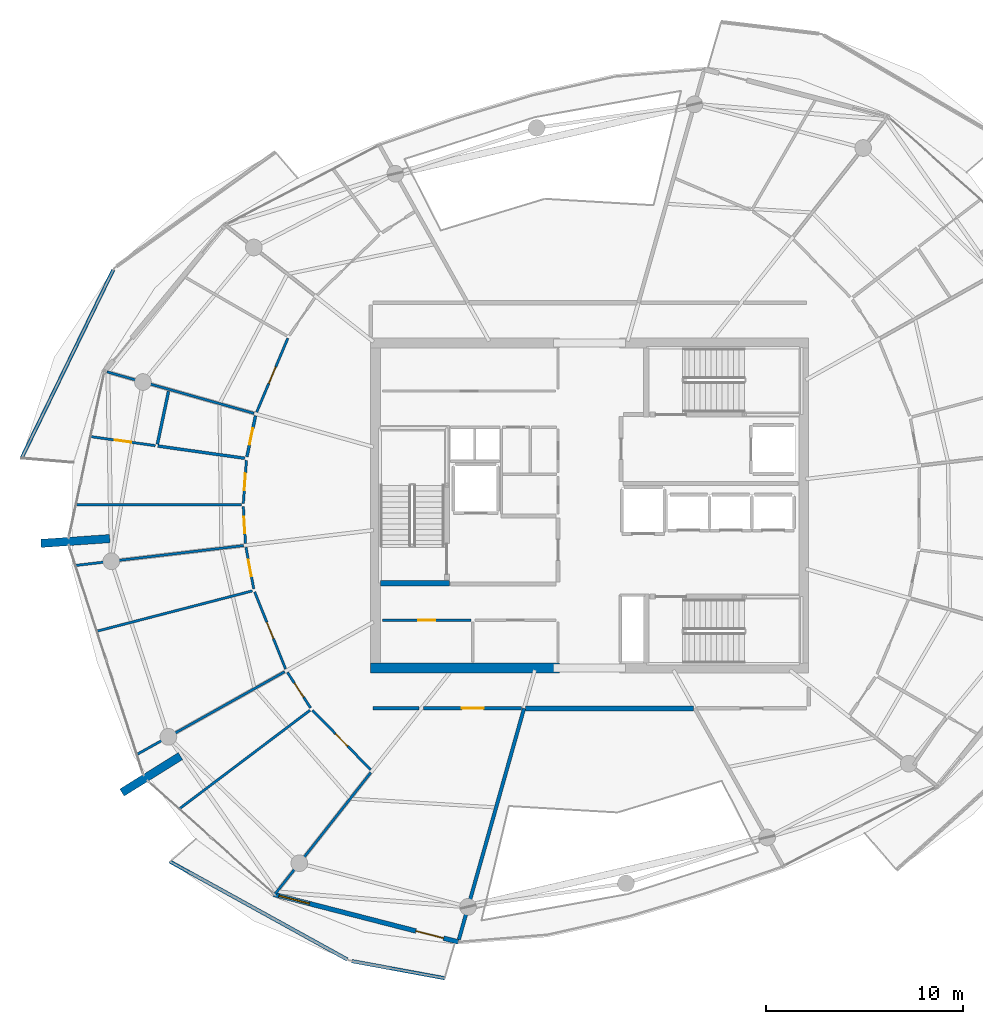
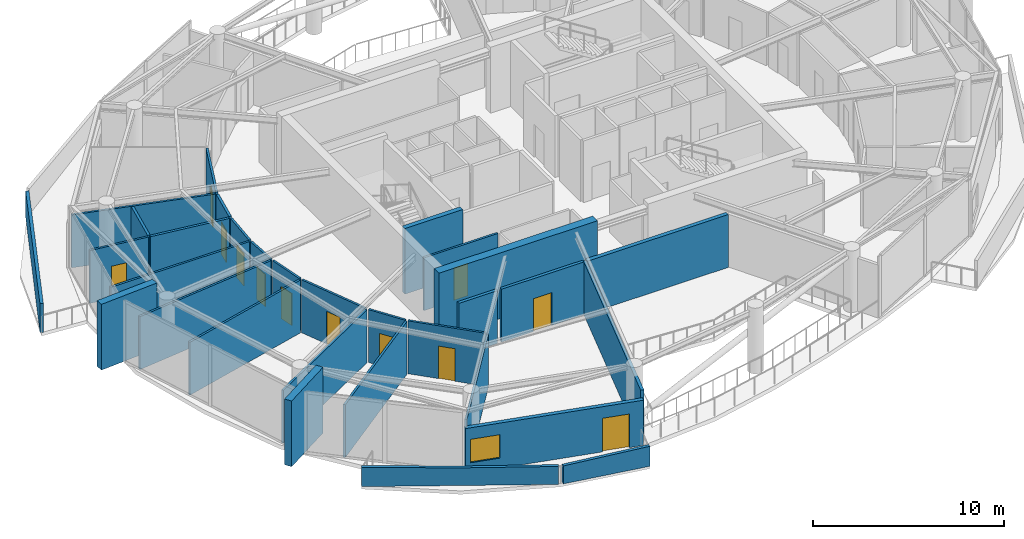
# One storey, part 13 of 22: 31 walls, 12 doors, 1 window, 13 openings.
"""IFC4 building model written with IfcOpenShell, lengths in metres."""

import ifcopenshell
import ifcopenshell.guid

model = None  # the IFC model being written
_history = None  # IfcOwnerHistory: only IFC2X3 demands one
_inside = {}  # id of a spatial element -> (the spatial element, [elements in it])
_under = {}  # id of a project, library or spatial element -> (it, [spatial elements below it])
_declared = {}  # id of a project -> (the project, [libraries it declares])
_typed = {}  # id of a type object -> (the type object, [elements of that type])
_made_of = {}  # id of a material, layer set ... -> (it, [elements and type objects made of it])


def new_model(schema):
    """Start an empty IFC model of exactly this schema.

    Asked for "IFC4X3", IfcOpenShell would pick the latest addendum, in which some entities
    have other attributes; the version numbers below select the first issue.
    IFC2X3 requires an IfcOwnerHistory on every rooted entity: one is made here for all.
    """
    global model, _history
    if schema == "IFC4X3":
        model = ifcopenshell.file(schema_version=(4, 3, 0, 0))
    else:
        model = ifcopenshell.file(schema=schema)
    _inside.clear()
    _under.clear()
    _declared.clear()
    _typed.clear()
    _made_of.clear()
    _history = None
    if model.schema == "IFC2X3":
        org = make("IfcOrganization", Name="unknown")
        user = make(
            "IfcPersonAndOrganization",
            ThePerson=make("IfcPerson", FamilyName="unknown"),
            TheOrganization=org,
        )
        app = make(
            "IfcApplication",
            ApplicationDeveloper=org,
            Version="unknown",
            ApplicationFullName="unknown",
            ApplicationIdentifier="unknown",
        )
        _history = make(
            "IfcOwnerHistory",
            OwningUser=user,
            OwningApplication=app,
            ChangeAction="ADDED",
            CreationDate=0,
        )
    return model


def make(cls, **values):
    """One entity of the class cls with the attributes given. An attribute that is None is left unset."""
    return model.create_entity(
        cls, **{name: value for name, value in values.items() if value is not None}
    )


def rooted(cls, **values):
    """An entity with a GlobalId (a new one), such as an element, a storey or a relation."""
    return make(cls, GlobalId=ifcopenshell.guid.new(), OwnerHistory=_history, **values)


def si_unit(unit_type, name, prefix=None):
    """IfcSIUnit, for example si_unit("LENGTHUNIT", "METRE", prefix="MILLI")."""
    return make("IfcSIUnit", UnitType=unit_type, Prefix=prefix, Name=name)


def assignment(units):
    """IfcUnitAssignment: the units of a project."""
    return None if units is None else make("IfcUnitAssignment", Units=units)


def point(xyz):
    """IfcCartesianPoint."""
    return None if xyz is None else make("IfcCartesianPoint", Coordinates=xyz)


def direction(xyz):
    """IfcDirection."""
    return None if xyz is None else make("IfcDirection", DirectionRatios=xyz)


def frame(location, z_axis=None, x_axis=None):
    """IfcAxis2Placement3D, a coordinate frame: its origin and axes. An axis left out is left unset."""
    return make(
        "IfcAxis2Placement3D",
        Location=point(location),
        Axis=direction(z_axis),
        RefDirection=direction(x_axis),
    )


def frame_2d(location, x_axis=None):
    """IfcAxis2Placement2D, a coordinate frame in the plane: its origin and x axis."""
    return make(
        "IfcAxis2Placement2D", Location=point(location), RefDirection=direction(x_axis)
    )


def origin():
    """The frame at (0, 0, 0) with its axes left unset."""
    return frame((0.0, 0.0, 0.0))


def place(relative_to, where):
    """IfcLocalPlacement: puts the frame where relative to a parent placement (None: the world)."""
    return make(
        "IfcLocalPlacement", PlacementRelTo=relative_to, RelativePlacement=where
    )


def context(
    kind, dimensions, precision=None, world=None, true_north=None, identifier=None
):
    """IfcGeometricRepresentationContext, for example the 3D "Model" context."""
    return make(
        "IfcGeometricRepresentationContext",
        ContextIdentifier=identifier,
        ContextType=kind,
        CoordinateSpaceDimension=dimensions,
        Precision=precision,
        WorldCoordinateSystem=world,
        TrueNorth=true_north,
    )


def subcontext(parent, identifier, kind, view, scale=None):
    """IfcGeometricRepresentationSubContext, for example "Body" below "Model"."""
    return make(
        "IfcGeometricRepresentationSubContext",
        ContextIdentifier=identifier,
        ContextType=kind,
        ParentContext=parent,
        TargetScale=scale,
        TargetView=view,
    )


def project(units=None, contexts=None):
    """IfcProject with its units and contexts."""
    return rooted(
        "IfcProject",
        Name="project",
        RepresentationContexts=contexts,
        UnitsInContext=assignment(units),
    )


def spatial(cls, under=None, at=None, **own):
    """A site, building, storey or space (cls), placed at a placement, below another one or the project."""
    s = rooted(cls, ObjectPlacement=at, **own)
    if under is not None:
        _under.setdefault(under.id(), (under, []))[1].append(s)
    return s


def polyline(points):
    """IfcPolyline through the points."""
    return make("IfcPolyline", Points=[point(p) for p in points])


def profile(cls, at=None, kind="AREA", **sizes):
    """A parametric profile (cls). Its sizes go by their IFC names, for example OverallWidth=200.0."""
    return make(cls, ProfileType=kind, Position=at, **sizes)


def rectangle(**sizes):
    """IfcRectangleProfileDef."""
    return profile("IfcRectangleProfileDef", **sizes)


def outline(outer, holes=None, kind="AREA"):
    """IfcArbitraryClosedProfileDef: a profile drawn as a closed curve; with holes, ...WithVoids."""
    if holes is None:
        return make("IfcArbitraryClosedProfileDef", ProfileType=kind, OuterCurve=outer)
    return make(
        "IfcArbitraryProfileDefWithVoids",
        ProfileType=kind,
        OuterCurve=outer,
        InnerCurves=holes,
    )


def extrude(swept, where, along, depth):
    """IfcExtrudedAreaSolid: the profile swept, set in the frame where, extruded along a direction by depth."""
    return make(
        "IfcExtrudedAreaSolid",
        SweptArea=swept,
        Position=where,
        ExtrudedDirection=direction(along),
        Depth=depth,
    )


def shape(context_of_items, identifier, shape_type, items):
    """IfcShapeRepresentation: the items that make up one representation, for example the "Body"."""
    return make(
        "IfcShapeRepresentation",
        ContextOfItems=context_of_items,
        RepresentationIdentifier=identifier,
        RepresentationType=shape_type,
        Items=items,
    )


def material(Name=None, Category=None):
    """IfcMaterial."""
    return make("IfcMaterial", Name=Name, Category=Category)


def layer(
    of_material, thickness, ventilated=None, Name=None, Category=None, Priority=None
):
    """IfcMaterialLayer: one layer of a wall or slab, of a material (None: an air gap)."""
    return make(
        "IfcMaterialLayer",
        Material=of_material,
        LayerThickness=thickness,
        IsVentilated=ventilated,
        Name=Name,
        Category=Category,
        Priority=Priority,
    )


def layer_set(layers, Name=None):
    """IfcMaterialLayerSet."""
    return make("IfcMaterialLayerSet", MaterialLayers=layers, LayerSetName=Name)


def made_of(thing, what):
    """Note that an element or type object is made of a material, layer set ...; save() writes the relation."""
    if what is not None:
        _made_of.setdefault(what.id(), (what, []))[1].append(thing)
    return thing


def type_object(cls, material=None, **own):
    """A type object (cls), such as IfcWallType, which elements share."""
    return made_of(rooted(cls, **own), material)


def element(
    cls,
    number,
    at=None,
    inside=None,
    cuts=None,
    type_object=None,
    material=None,
    context=None,
    identifier="Body",
    shape_type=None,
    held_by="IfcProductDefinitionShape",
    body=None,
    shapes=None,
    **own,
):
    """One element of the class cls, such as IfcWall. Its Tag is "e" and its number.

    at: its placement. inside: the storey or other place that contains it. cuts: it is an
    opening in that element (IfcRelVoidsElement). A single representation is given by context,
    identifier, shape_type and body (its items); several are given by shapes. held_by: the class
    of the entity that holds the representations. save() writes the other relations.
    """
    e = rooted(cls, Tag="e%d" % number, ObjectPlacement=at, **own)
    if body is not None:
        shapes = [shape(context, identifier, shape_type, body)]
    if shapes is not None:
        e.Representation = make(held_by, Representations=shapes)
    if inside is not None:
        _inside.setdefault(inside.id(), (inside, []))[1].append(e)
    if cuts is not None:
        rooted(
            "IfcRelVoidsElement", RelatingBuildingElement=cuts, RelatedOpeningElement=e
        )
    if type_object is not None:
        _typed.setdefault(type_object.id(), (type_object, []))[1].append(e)
    return made_of(e, material)


def fill(opening, filler):
    """IfcRelFillsElement: the door or window that sits in an opening."""
    return rooted(
        "IfcRelFillsElement",
        RelatingOpeningElement=opening,
        RelatedBuildingElement=filler,
    )


def aggregate(whole, parts):
    """IfcRelAggregates: a whole, such as a stair, and the parts it consists of."""
    return rooted("IfcRelAggregates", RelatingObject=whole, RelatedObjects=parts)


def save(model, path):
    """Write the relations noted so far, then the file.

    IfcRelAggregates (storeys below a building ...), IfcRelContainedInSpatialStructure (elements
    in a storey), IfcRelDefinesByType, IfcRelAssociatesMaterial and IfcRelDeclares: one each for
    every whole, place, type object, material and project.
    """
    for whole, parts in _under.values():
        aggregate(whole, parts)
    for where, things in _inside.values():
        rooted(
            "IfcRelContainedInSpatialStructure",
            RelatedElements=things,
            RelatingStructure=where,
        )
    for kind, things in _typed.values():
        rooted("IfcRelDefinesByType", RelatedObjects=things, RelatingType=kind)
    for what, things in _made_of.values():
        rooted("IfcRelAssociatesMaterial", RelatedObjects=things, RelatingMaterial=what)
    for by, libraries in _declared.values():
        rooted("IfcRelDeclares", RelatingContext=by, RelatedDefinitions=libraries)
    model.write(path)


model = new_model("IFC4")

# Units and contexts
model_context = context("Model", 3, precision=1e-05, world=origin(), true_north=direction((0.0, 1.0)))
body_context = subcontext(model_context, "Body", "Model", "MODEL_VIEW")
ifc_project = project(units=[si_unit("LENGTHUNIT", "METRE"), si_unit("AREAUNIT", "SQUARE_METRE"), si_unit("VOLUMEUNIT", "CUBIC_METRE"), si_unit("PLANEANGLEUNIT", "RADIAN"), si_unit("MASSUNIT", "GRAM", prefix="KILO")], contexts=[model_context])

# Site, building, storey
site_placement = place(None, origin())
site = spatial("IfcSite", under=ifc_project, at=site_placement, CompositionType="ELEMENT")
building_placement = place(site_placement, origin())
building = spatial("IfcBuilding", under=site, at=building_placement, Name="Kazma Halo Residences", CompositionType="ELEMENT")
storey_placement = place(building_placement, frame((0.0, 0.0, 322.10009765625)))
storey = spatial("IfcBuildingStorey", under=building, at=storey_placement, Name="L81", CompositionType="ELEMENT", Elevation=322.10009765625)

# Walls
ifc_material_1 = material(Name="White Concrete C50/60 Balustrade", Category="concrete")
ifc_layer_1 = layer(ifc_material_1, 0.179931640625)
ifc_layer_set_1 = layer_set([ifc_layer_1], Name="White Concrete C50/60 Balustrade")
wall_type_1 = type_object("IfcWallType", Name="WL-BAL-WAVE-180", PredefinedType="PARAPET", material=ifc_layer_set_1)
wall_1_placement = place(storey_placement, frame((24.236083984375, 53.9736328125, 0.0), z_axis=(0.0, 0.0, 1.0), x_axis=(-0.437628769895, -0.899155748333, 0.0)))
element("IfcWall", 1, at=wall_1_placement, inside=storey, type_object=wall_type_1, Name="L81 white wave balustrade wall NW.2", PredefinedType="PARAPET", context=body_context, shape_type="SweptSolid", body=[
    extrude(outline(polyline([(0.0, 0.0), (10.634765625, 0.0), (10.634765625, 1.85986328125), (5.3173828125, 1.7978515625), (0.0, 1.6318359375), (0.0, 0.0)])), frame((0.0, 0.08984375, 0.0), z_axis=(0.0, -1.0, 0.0), x_axis=(1.0, 0.0, 0.0)), (0.0, 0.0, 1.0), 0.179931640625),
])
wall_2_placement = place(storey_placement, frame((27.10302734375, 23.930419921875, 0.0), z_axis=(0.0, 0.0, 1.0), x_axis=(0.875469817093, -0.483272800145, 0.0)))
element("IfcWall", 2, at=wall_2_placement, inside=storey, type_object=wall_type_1, Name="L81 white wave balustrade wall SW.1", PredefinedType="PARAPET", context=body_context, shape_type="SweptSolid", body=[
    extrude(outline(polyline([(0.0, 0.0), (10.3017578125, 0.0), (10.301513671875, 1.14794921875), (5.15087890625, 1.126953125), (0.0, 1.223876953125), (0.0, 0.0)])), frame((0.0, 0.08984375, 0.0), z_axis=(0.0, -1.0, 0.0), x_axis=(1.0, 0.0, 0.0)), (0.0, 0.0, 1.0), 0.179931640625),
])
wall_3_placement = place(storey_placement, frame((36.344970703125, 18.8720703125, 0.0), z_axis=(0.0, 0.0, 1.0), x_axis=(0.983429847583, -0.18128909201, 0.0)))
element("IfcWall", 3, at=wall_3_placement, inside=storey, type_object=wall_type_1, Name="L81 white wave balustrade wall SW.2", PredefinedType="PARAPET", context=body_context, shape_type="SweptSolid", body=[
    extrude(outline(polyline([(0.0, 0.0), (4.8076171875, 0.0), (4.8076171875, 1.27880859375), (0.0, 1.14794921875), (0.0, 0.0)])), frame((0.0, 0.08984375, 0.0), z_axis=(0.0, -1.0, 0.0), x_axis=(1.0, 0.0, 0.0)), (0.0, 0.0, 1.0), 0.179931640625),
])
ifc_material_2 = material(Name="Pale Concrete C60/75", Category="concrete")
ifc_layer_2 = layer(ifc_material_2, 0.419921875)
ifc_layer_set_2 = layer_set([ifc_layer_2], Name="Pale Concrete C60/75")
wall_type_2 = type_object("IfcWallType", Name="WL-BLADE-420", PredefinedType="SOLIDWALL", material=ifc_layer_set_2)
for number, where, z_axis, x_axis, name in (
    (4, (24.05908203125, 40.325927734375, 0.0), (0.0, 0.0, 1.0), (-0.997564163539, -0.069754853754, 0.0), "L81 pale concrete structural blade fin wall BW-02"),
    (5, (27.6474609375, 29.2822265625, 0.0), (0.0, 0.0, 1.0), (-0.848053161125, -0.529911158502, 0.0), "L81 pale concrete structural blade fin wall BW-03"),
):
    element("IfcWall", number, at=place(storey_placement, frame(where, z_axis=z_axis, x_axis=x_axis)), inside=storey, type_object=wall_type_2, Name=name, PredefinedType="SOLIDWALL", context=body_context, shape_type="SweptSolid", body=[
        extrude(rectangle(XDim=3.5, YDim=0.419921875, at=frame_2d((1.75, 0.0))), origin(), (0.0, 0.0, 1.0), 4.199951171875),
    ])
ifc_material_3 = material(Name="Concrete C60/75", Category="concrete")
ifc_layer_3 = layer(ifc_material_3, 0.5)
ifc_layer_set_3 = layer_set([ifc_layer_3], Name="Concrete C60/75")
wall_type_3 = type_object("IfcWallType", Name="WL-CORE-500", PredefinedType="SHEAR", material=ifc_layer_set_3)
wall_4_placement = place(storey_placement, frame((37.300048828125, 33.75, 0.0), z_axis=(0.0, 0.0, 1.0), x_axis=(1.0, 0.0, 0.0)))
element("IfcWall", 6, at=wall_4_placement, inside=storey, type_object=wall_type_3, Name="L81 central core shear wall SW", PredefinedType="SHEAR", context=body_context, shape_type="SweptSolid", body=[
    extrude(rectangle(XDim=9.599853515625, YDim=0.5, at=frame_2d((4.7998046875, 0.0))), origin(), (0.0, 0.0, 1.0), 4.199951171875),
])
ifc_layer_4 = layer(ifc_material_3, 0.280029296875)
ifc_layer_set_4 = layer_set([ifc_layer_4], Name="Concrete C60/75")
wall_type_4 = type_object("IfcWallType", Name="WL-CORE-ST-280", PredefinedType="SHEAR", material=ifc_layer_set_4)
wall_5_placement = place(storey_placement, frame((37.800048828125, 38.06005859375, 0.0), z_axis=(0.0, 0.0, 1.0), x_axis=(1.0, 0.0, 0.0)))
element("IfcWall", 7, at=wall_5_placement, inside=storey, type_object=wall_type_4, Name="L81 stairwell bearing wall ST01-S", PredefinedType="SHEAR", context=body_context, shape_type="SweptSolid", body=[
    extrude(rectangle(XDim=3.5, YDim=0.280029296875, at=frame_2d((1.75, 0.0))), origin(), (0.0, 0.0, 1.0), 4.199951171875),
])
ifc_material_4 = material(Name="Acoustic Twin-Stud Gypsum")
ifc_layer_5 = layer(ifc_material_4, 0.179931640625)
ifc_layer_set_5 = layer_set([ifc_layer_5], Name="Acoustic Twin-Stud Gypsum")
wall_type_5 = type_object("IfcWallType", Name="WL-DEM-180", PredefinedType="PARTITIONING", material=ifc_layer_set_5)
wall_6_placement = place(storey_placement, frame((45.09521484375, 31.699951171875, 0.0), z_axis=(0.0, 0.0, 1.0), x_axis=(-0.271453030279, -0.962451688321, 0.0)))
element("IfcWall", 8, at=wall_6_placement, inside=storey, type_object=wall_type_5, Name="L81 apartment demising radial wall 10", PredefinedType="PARTITIONING", context=body_context, shape_type="SweptSolid", body=[
    extrude(rectangle(XDim=12.191162109375, YDim=0.179931640625, at=frame_2d((6.095703125, 0.0))), origin(), (0.0, 0.0, 1.0), 3.3798828125),
])

# Wall, opening, door
wall_7_placement = place(storey_placement, frame((40.0, 31.699951171875, 0.0), z_axis=(0.0, 0.0, 1.0), x_axis=(1.0, 0.0, 0.0)))
wall_7 = element("IfcWall", 9, at=wall_7_placement, inside=storey, type_object=wall_type_5, Name="L81 Penthouse 1 entrance corridor wall", PredefinedType="PARTITIONING", context=body_context, shape_type="SweptSolid", body=[
    extrude(rectangle(XDim=4.97509765625, YDim=0.179931640625, at=frame_2d((2.487548828125, 0.0))), origin(), (0.0, 0.0, 1.0), 3.3798828125),
])
opening_1_placement = place(wall_7_placement, frame((1.9375, 0.0, 0.0)))
opening_1 = element("IfcOpeningElement", 10, at=opening_1_placement, cuts=wall_7, Name="Opening DA-1100", PredefinedType="OPENING", context=body_context, shape_type="SweptSolid", body=[
    extrude(rectangle(XDim=1.10009765625, YDim=2.10009765625, at=frame_2d((0.550048828125, 1.050048828125))), frame((0.0, 0.099853515625, 0.0), z_axis=(0.0, -1.0, 0.0), x_axis=(1.0, 0.0, 0.0)), (0.0, 0.0, 1.0), 0.199951171875),
])
ifc_material_5 = material(Name="Acoustic Walnut Fire Leaf")
door_type_1 = type_object("IfcDoorType", Name="DR-FD60-1100", OperationType="NOTDEFINED", PredefinedType="DOOR", material=ifc_material_5)
door_1_placement = place(opening_1_placement, origin())
door_1 = element("IfcDoor", 11, at=door_1_placement, inside=storey, type_object=door_type_1, Name="L81 Penthouse 1 entrance fire door", OperationType="SINGLE_SWING_LEFT", OverallHeight=2.10009765625, OverallWidth=1.10009765625, PredefinedType="DOOR", context=body_context, shape_type="SweptSolid", body=[
    extrude(rectangle(XDim=1.10009765625, YDim=2.10009765625, at=frame_2d((0.550048828125, 1.050048828125))), frame((0.0, 0.02490234375, 0.0), z_axis=(0.0, -1.0, 0.0), x_axis=(1.0, 0.0, 0.0)), (0.0, 0.0, 1.0), 0.050048828125),
])
fill(opening_1, door_1)

# Wall
wall_8_placement = place(storey_placement, frame((37.419921875, 31.699951171875, 0.0), z_axis=(0.0, 0.0, 1.0), x_axis=(1.0, 0.0, 0.0)))
element("IfcWall", 12, at=wall_8_placement, inside=storey, type_object=wall_type_5, Name="L81 Penthouse 1 inner wall 8", PredefinedType="PARTITIONING", context=body_context, shape_type="SweptSolid", body=[
    extrude(rectangle(XDim=2.340087890625, YDim=0.179931640625, at=frame_2d((1.169921875, 0.0))), origin(), (0.0, 0.0, 1.0), 3.3798828125),
])

# Wall, openings, door, window
ifc_material_6 = material(Name="Insulated Pale-Metal Composite Wall")
ifc_layer_6 = layer(ifc_material_6, 0.239990234375)
ifc_layer_set_6 = layer_set([ifc_layer_6], Name="Insulated Pale-Metal Composite Wall")
wall_type_6 = type_object("IfcWallType", Name="WL-EXT-HOST-240", PredefinedType="SOLIDWALL", material=ifc_layer_set_6)
wall_9_placement = place(storey_placement, frame((32.380126953125, 22.26025390625, 0.0), z_axis=(0.0, 0.0, 1.0), x_axis=(0.968389062354, -0.249444630957, 0.0)))
wall_9 = element("IfcWall", 13, at=wall_9_placement, inside=storey, type_object=wall_type_6, Name="L81 exterior terrace-access wall B10", PredefinedType="SOLIDWALL", context=body_context, shape_type="SweptSolid", body=[
    extrude(rectangle(XDim=9.677734375, YDim=0.239990234375, at=frame_2d((4.8388671875, 0.0))), origin(), (0.0, 0.0, 1.0), 2.889892578125),
])
opening_2_placement = place(wall_9_placement, frame((7.457763671875, 0.0, 0.0)))
opening_2 = element("IfcOpeningElement", 14, at=opening_2_placement, cuts=wall_9, Name="Opening DTR-1600", PredefinedType="OPENING", context=body_context, shape_type="SweptSolid", body=[
    extrude(rectangle(XDim=1.449951171875, YDim=2.14990234375, at=frame_2d((0.72509765625, 1.074951171875))), frame((0.0, 0.1298828125, 0.0), z_axis=(0.0, -1.0, 0.0), x_axis=(1.0, 0.0, 0.0)), (0.0, 0.0, 1.0), 0.260009765625),
])
opening_3_placement = place(wall_9_placement, frame((0.280029296875, 0.0, 0.64990234375)))
opening_3 = element("IfcOpeningElement", 15, at=opening_3_placement, cuts=wall_9, Name="Opening W-1800", PredefinedType="OPENING", context=body_context, shape_type="SweptSolid", body=[
    extrude(rectangle(XDim=1.60009765625, YDim=1.5, at=frame_2d((0.800048828125, 0.75))), frame((0.0, 0.1298828125, 0.0), z_axis=(0.0, -1.0, 0.0), x_axis=(1.0, 0.0, 0.0)), (0.0, 0.0, 1.0), 0.260009765625),
])
ifc_material_7 = material(Name="Aluminium AW-6063 T6 Double-Glazed Terrace Door", Category="aluminium")
door_type_2 = type_object("IfcDoorType", Name="DR-EXT-TERR-1600", OperationType="NOTDEFINED", PredefinedType="DOOR", material=ifc_material_7)
door_2_placement = place(opening_2_placement, origin())
door_2 = element("IfcDoor", 16, at=door_2_placement, inside=storey, type_object=door_type_2, Name="L81 B10 balcony terrace door", OperationType="DOUBLE_DOOR_SLIDING", OverallHeight=2.14990234375, OverallWidth=1.449951171875, PredefinedType="DOOR", context=body_context, shape_type="SweptSolid", body=[
    extrude(rectangle(XDim=1.449951171875, YDim=2.14990234375, at=frame_2d((0.72509765625, 1.074951171875))), frame((0.0, 0.02490234375, 0.0), z_axis=(0.0, -1.0, 0.0), x_axis=(1.0, 0.0, 0.0)), (0.0, 0.0, 1.0), 0.050048828125),
])
fill(opening_2, door_2)
ifc_material_8 = material(Name="Clear Triple-Silver Low-E Glass in Aluminium AW-6063 T6 Frame", Category="aluminium")
window_type = type_object("IfcWindowType", Name="WIN-RES-1800", PartitioningType="DOUBLE_PANEL_VERTICAL", PredefinedType="WINDOW", material=ifc_material_8)
window_placement = place(opening_3_placement, origin())
window = element("IfcWindow", 17, at=window_placement, inside=storey, type_object=window_type, Name="L81 B10 apartment window", OverallHeight=1.5, OverallWidth=1.60009765625, PartitioningType="SINGLE_PANEL", PredefinedType="WINDOW", context=body_context, shape_type="SweptSolid", body=[
    extrude(rectangle(XDim=1.60009765625, YDim=1.5, at=frame_2d((0.800048828125, 0.75))), frame((0.0, 0.030029296875, 0.0), z_axis=(0.0, -1.0, 0.0), x_axis=(1.0, 0.0, 0.0)), (0.0, 0.0, 1.0), 0.06005859375),
])
fill(opening_3, window)

# Wall
wall_10_placement = place(storey_placement, frame((45.1650390625, 31.699951171875, 0.0), z_axis=(0.0, 0.0, 1.0), x_axis=(1.0, 0.0, 0.0)))
element("IfcWall", 18, at=wall_10_placement, inside=storey, type_object=wall_type_6, Name="L81 wind-portal core closure wall", PredefinedType="SOLIDWALL", context=body_context, shape_type="SweptSolid", body=[
    extrude(rectangle(XDim=8.533203125, YDim=0.239990234375, at=frame_2d((4.2666015625, 0.0))), origin(), (0.0, 0.0, 1.0), 3.3798828125),
])

# Wall, opening, door
ifc_material_9 = material(Name="Gypsum Plasterboard Partition")
ifc_layer_7 = layer(ifc_material_9, 0.125)
ifc_layer_set_7 = layer_set([ifc_layer_7], Name="Gypsum Plasterboard Partition")
wall_type_7 = type_object("IfcWallType", Name="WL-PART-125", PredefinedType="PARTITIONING", material=ifc_layer_set_7)
wall_11_placement = place(storey_placement, frame((37.919921875, 36.179931640625, 0.0), z_axis=(0.0, 0.0, 1.0), x_axis=(1.0, 0.0, 0.0)))
wall_11 = element("IfcWall", 19, at=wall_11_placement, inside=storey, type_object=wall_type_7, Name="L81 reclaimed south W front wall", PredefinedType="PARTITIONING", context=body_context, shape_type="SweptSolid", body=[
    extrude(rectangle(XDim=4.47998046875, YDim=0.125, at=frame_2d((2.239990234375, 0.0))), origin(), (0.0, 0.0, 1.0), 3.3798828125),
])
opening_4_placement = place(wall_11_placement, frame((1.81494140625, 0.0, 0.0)))
opening_4 = element("IfcOpeningElement", 20, at=opening_4_placement, cuts=wall_11, Name="Opening DS-850", PredefinedType="OPENING", context=body_context, shape_type="SweptSolid", body=[
    extrude(rectangle(XDim=0.85009765625, YDim=2.06005859375, at=frame_2d((0.425048828125, 1.030029296875))), frame((0.0, 0.072509765625, 0.0), z_axis=(0.0, -1.0, 0.0), x_axis=(1.0, 0.0, 0.0)), (0.0, 0.0, 1.0), 0.14501953125),
])
ifc_material_10 = material(Name="Painted Steel Access Leaf", Category="steel")
door_type_3 = type_object("IfcDoorType", Name="DR-SVC-850", OperationType="NOTDEFINED", PredefinedType="DOOR", material=ifc_material_10)
door_3_placement = place(opening_4_placement, origin())
door_3 = element("IfcDoor", 21, at=door_3_placement, inside=storey, type_object=door_type_3, Name="L81 reclaimed south W door", OperationType="SINGLE_SWING_RIGHT", OverallHeight=2.06005859375, OverallWidth=0.85009765625, PredefinedType="DOOR", context=body_context, shape_type="SweptSolid", body=[
    extrude(rectangle(XDim=0.85009765625, YDim=2.06005859375, at=frame_2d((0.425048828125, 1.030029296875))), frame((0.0, 0.02490234375, 0.0), z_axis=(0.0, -1.0, 0.0), x_axis=(1.0, 0.0, 0.0)), (0.0, 0.0, 1.0), 0.050048828125),
])
fill(opening_4, door_3)

wall_12_placement = place(storey_placement, frame((33.100830078125, 50.5, 0.0), z_axis=(0.0, 0.0, 1.0), x_axis=(-0.388459336045, -0.921465867105, 0.0)))
wall_12 = element("IfcWall", 22, at=wall_12_placement, inside=storey, type_object=wall_type_7, Name="L81 Penthouse 1 Secondary Formal Dining Room hall wall", PredefinedType="PARTITIONING", context=body_context, shape_type="SweptSolid", body=[
    extrude(rectangle(XDim=4.06884765625, YDim=0.125, at=frame_2d((2.034423828125, 0.0))), origin(), (0.0, 0.0, 1.0), 3.3798828125),
])
opening_5_placement = place(wall_12_placement, frame((1.58447265625, 0.0, 0.0)))
opening_5 = element("IfcOpeningElement", 23, at=opening_5_placement, cuts=wall_12, Name="Opening DI-950", PredefinedType="OPENING", context=body_context, shape_type="SweptSolid", body=[
    extrude(rectangle(XDim=0.89990234375, YDim=2.080078125, at=frame_2d((0.449951171875, 1.0400390625))), frame((0.0, 0.072509765625, 0.0), z_axis=(0.0, -1.0, 0.0), x_axis=(1.0, 0.0, 0.0)), (0.0, 0.0, 1.0), 0.14501953125),
])
ifc_material_11 = material(Name="Timber Veneer Flush Leaf", Category="wood")
door_type_4 = type_object("IfcDoorType", Name="DR-INT-950", OperationType="NOTDEFINED", PredefinedType="DOOR", material=ifc_material_11)
door_4_placement = place(opening_5_placement, origin())
door_4 = element("IfcDoor", 24, at=door_4_placement, inside=storey, type_object=door_type_4, Name="L81 Penthouse 1 Secondary Formal Dining Room door", OperationType="SINGLE_SWING_RIGHT", OverallHeight=2.080078125, OverallWidth=0.89990234375, PredefinedType="DOOR", context=body_context, shape_type="SweptSolid", body=[
    extrude(rectangle(XDim=0.89990234375, YDim=2.080078125, at=frame_2d((0.449951171875, 1.0400390625))), frame((0.0, 0.02490234375, 0.0), z_axis=(0.0, -1.0, 0.0), x_axis=(1.0, 0.0, 0.0)), (0.0, 0.0, 1.0), 0.050048828125),
])
fill(opening_5, door_4)

# Wall
wall_13_placement = place(storey_placement, frame((31.38525390625, 46.685791015625, 0.0), z_axis=(0.0, 0.0, 1.0), x_axis=(-0.962455784847, 0.271438505401, 0.0)))
element("IfcWall", 25, at=wall_13_placement, inside=storey, type_object=wall_type_7, Name="L81 Penthouse 1 radial partition 6", PredefinedType="PARTITIONING", context=body_context, shape_type="SweptSolid", body=[
    extrude(rectangle(XDim=7.763916015625, YDim=0.125, at=frame_2d((3.8818359375, 0.0))), origin(), (0.0, 0.0, 1.0), 3.3798828125),
])

# Wall, opening, door
wall_14_placement = place(storey_placement, frame((26.3701171875, 45.043701171875, 0.0), z_axis=(0.0, 0.0, 1.0), x_axis=(-0.990243492516, 0.139347858002, 0.0)))
wall_14 = element("IfcWall", 26, at=wall_14_placement, inside=storey, type_object=wall_type_7, Name="L81 Penthouse 1 West Walk-In Wardrobe partition wall", PredefinedType="PARTITIONING", context=body_context, shape_type="SweptSolid", body=[
    extrude(rectangle(XDim=3.29736328125, YDim=0.125, at=frame_2d((1.648681640625, 0.0))), origin(), (0.0, 0.0, 1.0), 3.3798828125),
])
opening_6_placement = place(wall_14_placement, frame((1.2236328125, 0.0, 0.0)))
opening_6 = element("IfcOpeningElement", 27, at=opening_6_placement, cuts=wall_14, Name="Opening DB-900", PredefinedType="OPENING", context=body_context, shape_type="SweptSolid", body=[
    extrude(rectangle(XDim=0.85009765625, YDim=2.06005859375, at=frame_2d((0.425048828125, 1.030029296875))), frame((0.0, 0.072509765625, 0.0), z_axis=(0.0, -1.0, 0.0), x_axis=(1.0, 0.0, 0.0)), (0.0, 0.0, 1.0), 0.14501953125),
])
ifc_material_12 = material(Name="Moisture-Sealed Timber Leaf", Category="wood")
door_type_5 = type_object("IfcDoorType", Name="DR-BTH-900", OperationType="NOTDEFINED", PredefinedType="DOOR", material=ifc_material_12)
door_5_placement = place(opening_6_placement, origin())
door_5 = element("IfcDoor", 28, at=door_5_placement, inside=storey, type_object=door_type_5, Name="L81 Penthouse 1 West Walk-In Wardrobe door", OperationType="SINGLE_SWING_LEFT", OverallHeight=2.06005859375, OverallWidth=0.85009765625, PredefinedType="DOOR", context=body_context, shape_type="SweptSolid", body=[
    extrude(rectangle(XDim=0.85009765625, YDim=2.06005859375, at=frame_2d((0.425048828125, 1.030029296875))), frame((0.0, 0.02490234375, 0.0), z_axis=(0.0, -1.0, 0.0), x_axis=(1.0, 0.0, 0.0)), (0.0, 0.0, 1.0), 0.050048828125),
])
fill(opening_6, door_5)

# Wall
wall_15_placement = place(storey_placement, frame((30.7470703125, 42.0341796875, 0.0), z_axis=(0.0, 0.0, 1.0), x_axis=(-0.999998039071, 0.001980367145, 0.0)))
element("IfcWall", 29, at=wall_15_placement, inside=storey, type_object=wall_type_7, Name="L81 Penthouse 1 suite divider 6", PredefinedType="PARTITIONING", context=body_context, shape_type="SweptSolid", body=[
    extrude(rectangle(XDim=8.383056640625, YDim=0.125, at=frame_2d((4.19140625, 0.0))), origin(), (0.0, 0.0, 1.0), 3.3798828125),
])

# Wall, opening, door
wall_16_placement = place(storey_placement, frame((30.998046875, 44.3017578125, 0.0), z_axis=(0.0, 0.0, 1.0), x_axis=(-0.070788273512, -0.997491363538, 0.0)))
wall_16 = element("IfcWall", 30, at=wall_16_placement, inside=storey, type_object=wall_type_7, Name="L81 Penthouse 1 North Private Study hall wall", PredefinedType="PARTITIONING", context=body_context, shape_type="SweptSolid", body=[
    extrude(rectangle(XDim=2.193603515625, YDim=0.125, at=frame_2d((1.0966796875, 0.0))), origin(), (0.0, 0.0, 1.0), 3.3798828125),
])
opening_7_placement = place(wall_16_placement, frame((0.671875, 0.0, 0.0)))
opening_7 = element("IfcOpeningElement", 31, at=opening_7_placement, cuts=wall_16, Name="Opening DB-900", PredefinedType="OPENING", context=body_context, shape_type="SweptSolid", body=[
    extrude(rectangle(XDim=0.85009765625, YDim=2.06005859375, at=frame_2d((0.425048828125, 1.030029296875))), frame((0.0, 0.072509765625, 0.0), z_axis=(0.0, -1.0, 0.0), x_axis=(1.0, 0.0, 0.0)), (0.0, 0.0, 1.0), 0.14501953125),
])
door_6_placement = place(opening_7_placement, origin())
door_6 = element("IfcDoor", 32, at=door_6_placement, inside=storey, type_object=door_type_5, Name="L81 Penthouse 1 North Private Study door", OperationType="SINGLE_SWING_RIGHT", OverallHeight=2.06005859375, OverallWidth=0.85009765625, PredefinedType="DOOR", context=body_context, shape_type="SweptSolid", body=[
    extrude(rectangle(XDim=0.85009765625, YDim=2.06005859375, at=frame_2d((0.425048828125, 1.030029296875))), frame((0.0, 0.02490234375, 0.0), z_axis=(0.0, -1.0, 0.0), x_axis=(1.0, 0.0, 0.0)), (0.0, 0.0, 1.0), 0.050048828125),
])
fill(opening_7, door_6)

wall_17_placement = place(storey_placement, frame((30.841552734375, 41.9541015625, 0.0), z_axis=(0.0, 0.0, 1.0), x_axis=(0.057950971365, -0.998319430302, 0.0)))
wall_17 = element("IfcWall", 33, at=wall_17_placement, inside=storey, type_object=wall_type_7, Name="L81 Penthouse 1 South Master Bedroom hall wall", PredefinedType="PARTITIONING", context=body_context, shape_type="SweptSolid", body=[
    extrude(rectangle(XDim=1.874755859375, YDim=0.125, at=frame_2d((0.9375, 0.0))), origin(), (0.0, 0.0, 1.0), 3.3798828125),
])
opening_8_placement = place(wall_17_placement, frame((0.512451171875, 0.0, 0.0)))
opening_8 = element("IfcOpeningElement", 34, at=opening_8_placement, cuts=wall_17, Name="Opening DB-900", PredefinedType="OPENING", context=body_context, shape_type="SweptSolid", body=[
    extrude(rectangle(XDim=0.85009765625, YDim=2.06005859375, at=frame_2d((0.425048828125, 1.030029296875))), frame((0.0, 0.072509765625, 0.0), z_axis=(0.0, -1.0, 0.0), x_axis=(1.0, 0.0, 0.0)), (0.0, 0.0, 1.0), 0.14501953125),
])
door_7_placement = place(opening_8_placement, origin())
door_7 = element("IfcDoor", 35, at=door_7_placement, inside=storey, type_object=door_type_5, Name="L81 Penthouse 1 South Master Bedroom door", OperationType="SINGLE_SWING_LEFT", OverallHeight=2.06005859375, OverallWidth=0.85009765625, PredefinedType="DOOR", context=body_context, shape_type="SweptSolid", body=[
    extrude(rectangle(XDim=0.85009765625, YDim=2.06005859375, at=frame_2d((0.425048828125, 1.030029296875))), frame((0.0, 0.02490234375, 0.0), z_axis=(0.0, -1.0, 0.0), x_axis=(1.0, 0.0, 0.0)), (0.0, 0.0, 1.0), 0.050048828125),
])
fill(opening_8, door_7)

# Walls
wall_18_placement = place(storey_placement, frame((30.856689453125, 39.970947265625, 0.0), z_axis=(0.0, 0.0, 1.0), x_axis=(-0.993069304007, -0.117530240533, 0.0)))
element("IfcWall", 36, at=wall_18_placement, inside=storey, type_object=wall_type_7, Name="L81 Penthouse 1 radial partition 7", PredefinedType="PARTITIONING", context=body_context, shape_type="SweptSolid", body=[
    extrude(rectangle(XDim=8.57275390625, YDim=0.125, at=frame_2d((4.286376953125, 0.0))), origin(), (0.0, 0.0, 1.0), 3.3798828125),
])
wall_19_placement = place(storey_placement, frame((31.29931640625, 37.669921875, 0.0), z_axis=(0.0, 0.0, 1.0), x_axis=(-0.967993656755, -0.250974661037, 0.0)))
element("IfcWall", 37, at=wall_19_placement, inside=storey, type_object=wall_type_7, Name="L81 Penthouse 1 mid-bay wall 7", PredefinedType="PARTITIONING", context=body_context, shape_type="SweptSolid", body=[
    extrude(rectangle(XDim=8.13232421875, YDim=0.125, at=frame_2d((4.066162109375, 0.0))), origin(), (0.0, 0.0, 1.0), 3.3798828125),
])

# Wall, opening, door
wall_20_placement = place(storey_placement, frame((30.974609375, 39.884521484375, 0.0), z_axis=(0.0, 0.0, 1.0), x_axis=(0.184617579239, -0.982810434131, 0.0)))
wall_20 = element("IfcWall", 38, at=wall_20_placement, inside=storey, type_object=wall_type_7, Name="L81 Penthouse 1 Inner Dressing Wardrobe hall wall", PredefinedType="PARTITIONING", context=body_context, shape_type="SweptSolid", body=[
    extrude(rectangle(XDim=2.150146484375, YDim=0.125, at=frame_2d((1.0751953125, 0.0))), origin(), (0.0, 0.0, 1.0), 3.3798828125),
])
opening_9_placement = place(wall_20_placement, frame((0.650146484375, 0.0, 0.0)))
opening_9 = element("IfcOpeningElement", 39, at=opening_9_placement, cuts=wall_20, Name="Opening DB-900", PredefinedType="OPENING", context=body_context, shape_type="SweptSolid", body=[
    extrude(rectangle(XDim=0.85009765625, YDim=2.06005859375, at=frame_2d((0.425048828125, 1.030029296875))), frame((0.0, 0.072509765625, 0.0), z_axis=(0.0, -1.0, 0.0), x_axis=(1.0, 0.0, 0.0)), (0.0, 0.0, 1.0), 0.14501953125),
])
door_8_placement = place(opening_9_placement, origin())
door_8 = element("IfcDoor", 40, at=door_8_placement, inside=storey, type_object=door_type_5, Name="L81 Penthouse 1 Inner Dressing Wardrobe door", OperationType="SINGLE_SWING_LEFT", OverallHeight=2.06005859375, OverallWidth=0.85009765625, PredefinedType="DOOR", context=body_context, shape_type="SweptSolid", body=[
    extrude(rectangle(XDim=0.85009765625, YDim=2.06005859375, at=frame_2d((0.425048828125, 1.030029296875))), frame((0.0, 0.02490234375, 0.0), z_axis=(0.0, -1.0, 0.0), x_axis=(1.0, 0.0, 0.0)), (0.0, 0.0, 1.0), 0.050048828125),
])
fill(opening_9, door_8)

wall_21_placement = place(storey_placement, frame((31.416015625, 37.618408203125, 0.0), z_axis=(0.0, 0.0, 1.0), x_axis=(0.37287786912, -0.927880431263, 0.0)))
wall_21 = element("IfcWall", 41, at=wall_21_placement, inside=storey, type_object=wall_type_7, Name="L81 Penthouse 1 Outer Master Bedroom hall wall", PredefinedType="PARTITIONING", context=body_context, shape_type="SweptSolid", body=[
    extrude(rectangle(XDim=4.2158203125, YDim=0.125, at=frame_2d((2.10791015625, 0.0))), origin(), (0.0, 0.0, 1.0), 3.3798828125),
])
opening_10_placement = place(wall_21_placement, frame((1.657958984375, 0.0, 0.0)))
opening_10 = element("IfcOpeningElement", 42, at=opening_10_placement, cuts=wall_21, Name="Opening DI-950", PredefinedType="OPENING", context=body_context, shape_type="SweptSolid", body=[
    extrude(rectangle(XDim=0.89990234375, YDim=2.080078125, at=frame_2d((0.449951171875, 1.0400390625))), frame((0.0, 0.072509765625, 0.0), z_axis=(0.0, -1.0, 0.0), x_axis=(1.0, 0.0, 0.0)), (0.0, 0.0, 1.0), 0.14501953125),
])
door_9_placement = place(opening_10_placement, origin())
door_9 = element("IfcDoor", 43, at=door_9_placement, inside=storey, type_object=door_type_4, Name="L81 Penthouse 1 Outer Master Bedroom door", OperationType="SINGLE_SWING_RIGHT", OverallHeight=2.080078125, OverallWidth=0.89990234375, PredefinedType="DOOR", context=body_context, shape_type="SweptSolid", body=[
    extrude(rectangle(XDim=0.89990234375, YDim=2.080078125, at=frame_2d((0.449951171875, 1.0400390625))), frame((0.0, 0.02490234375, 0.0), z_axis=(0.0, -1.0, 0.0), x_axis=(1.0, 0.0, 0.0)), (0.0, 0.0, 1.0), 0.050048828125),
])
fill(opening_10, door_9)

# Walls
wall_22_placement = place(storey_placement, frame((32.938232421875, 33.56494140625, 0.0), z_axis=(0.0, 0.0, 1.0), x_axis=(-0.87250261652, -0.488609439293, 0.0)))
element("IfcWall", 44, at=wall_22_placement, inside=storey, type_object=wall_type_7, Name="L81 Penthouse 1 radial partition 8", PredefinedType="PARTITIONING", context=body_context, shape_type="SweptSolid", body=[
    extrude(rectangle(XDim=8.57275390625, YDim=0.125, at=frame_2d((4.286376953125, 0.0))), origin(), (0.0, 0.0, 1.0), 3.3798828125),
])
wall_23_placement = place(storey_placement, frame((37.3125, 28.443115234375, 0.0), z_axis=(0.0, 0.0, 1.0), x_axis=(-0.619079427556, -0.78532837869, 0.0)))
element("IfcWall", 45, at=wall_23_placement, inside=storey, type_object=wall_type_7, Name="L81 Penthouse 1 living radial partition 8", PredefinedType="PARTITIONING", context=body_context, shape_type="SweptSolid", body=[
    extrude(rectangle(XDim=7.864013671875, YDim=0.125, at=frame_2d((3.93212890625, 0.0))), origin(), (0.0, 0.0, 1.0), 3.3798828125),
])
wall_24_placement = place(storey_placement, frame((34.2275390625, 31.6083984375, 0.0), z_axis=(0.0, 0.0, 1.0), x_axis=(-0.798277484709, -0.602289845014, 0.0)))
element("IfcWall", 46, at=wall_24_placement, inside=storey, type_object=wall_type_7, Name="L81 Penthouse 1 mid-bay wall 8", PredefinedType="PARTITIONING", context=body_context, shape_type="SweptSolid", body=[
    extrude(rectangle(XDim=8.298828125, YDim=0.125, at=frame_2d((4.1494140625, 0.0))), origin(), (0.0, 0.0, 1.0), 3.3798828125),
])

# Wall, opening, door
wall_25_placement = place(storey_placement, frame((33.080078125, 33.530029296875, 0.0), z_axis=(0.0, 0.0, 1.0), x_axis=(0.546735291737, -0.837305512205, 0.0)))
wall_25 = element("IfcWall", 47, at=wall_25_placement, inside=storey, type_object=wall_type_7, Name="L81 Penthouse 1 Corner Dressing Wardrobe hall wall", PredefinedType="PARTITIONING", context=body_context, shape_type="SweptSolid", body=[
    extrude(rectangle(XDim=2.150146484375, YDim=0.125, at=frame_2d((1.0751953125, 0.0))), origin(), (0.0, 0.0, 1.0), 3.3798828125),
])
opening_11_placement = place(wall_25_placement, frame((0.650146484375, 0.0, 0.0)))
opening_11 = element("IfcOpeningElement", 48, at=opening_11_placement, cuts=wall_25, Name="Opening DB-900", PredefinedType="OPENING", context=body_context, shape_type="SweptSolid", body=[
    extrude(rectangle(XDim=0.85009765625, YDim=2.06005859375, at=frame_2d((0.425048828125, 1.030029296875))), frame((0.0, 0.072509765625, 0.0), z_axis=(0.0, -1.0, 0.0), x_axis=(1.0, 0.0, 0.0)), (0.0, 0.0, 1.0), 0.14501953125),
])
door_10_placement = place(opening_11_placement, origin())
door_10 = element("IfcDoor", 49, at=door_10_placement, inside=storey, type_object=door_type_5, Name="L81 Penthouse 1 Corner Dressing Wardrobe door", OperationType="SINGLE_SWING_RIGHT", OverallHeight=2.06005859375, OverallWidth=0.85009765625, PredefinedType="DOOR", context=body_context, shape_type="SweptSolid", body=[
    extrude(rectangle(XDim=0.85009765625, YDim=2.06005859375, at=frame_2d((0.425048828125, 1.030029296875))), frame((0.0, 0.02490234375, 0.0), z_axis=(0.0, -1.0, 0.0), x_axis=(1.0, 0.0, 0.0)), (0.0, 0.0, 1.0), 0.050048828125),
])
fill(opening_11, door_10)

wall_26_placement = place(storey_placement, frame((34.355224609375, 31.60546875, 0.0), z_axis=(0.0, 0.0, 1.0), x_axis=(0.699567507915, -0.714566513258, 0.0)))
wall_26 = element("IfcWall", 50, at=wall_26_placement, inside=storey, type_object=wall_type_7, Name="L81 Penthouse 1 Garden Master Bedroom hall wall", PredefinedType="PARTITIONING", context=body_context, shape_type="SweptSolid", body=[
    extrude(rectangle(XDim=4.2158203125, YDim=0.125, at=frame_2d((2.10791015625, 0.0))), origin(), (0.0, 0.0, 1.0), 3.3798828125),
])
opening_12_placement = place(wall_26_placement, frame((1.657958984375, 0.0, 0.0)))
opening_12 = element("IfcOpeningElement", 51, at=opening_12_placement, cuts=wall_26, Name="Opening DI-950", PredefinedType="OPENING", context=body_context, shape_type="SweptSolid", body=[
    extrude(rectangle(XDim=0.89990234375, YDim=2.080078125, at=frame_2d((0.449951171875, 1.0400390625))), frame((0.0, 0.072509765625, 0.0), z_axis=(0.0, -1.0, 0.0), x_axis=(1.0, 0.0, 0.0)), (0.0, 0.0, 1.0), 0.14501953125),
])
door_11_placement = place(opening_12_placement, origin())
door_11 = element("IfcDoor", 52, at=door_11_placement, inside=storey, type_object=door_type_4, Name="L81 Penthouse 1 Garden Master Bedroom door", OperationType="SINGLE_SWING_LEFT", OverallHeight=2.080078125, OverallWidth=0.89990234375, PredefinedType="DOOR", context=body_context, shape_type="SweptSolid", body=[
    extrude(rectangle(XDim=0.89990234375, YDim=2.080078125, at=frame_2d((0.449951171875, 1.0400390625))), frame((0.0, 0.02490234375, 0.0), z_axis=(0.0, -1.0, 0.0), x_axis=(1.0, 0.0, 0.0)), (0.0, 0.0, 1.0), 0.050048828125),
])
fill(opening_12, door_11)

ifc_material_13 = material(Name="Moisture-Resistant Gypsum")
ifc_layer_8 = layer(ifc_material_13, 0.14990234375)
ifc_layer_set_8 = layer_set([ifc_layer_8], Name="Moisture-Resistant Gypsum")
wall_type_8 = type_object("IfcWallType", Name="WL-WET-150", PredefinedType="PARTITIONING", material=ifc_layer_set_8)
wall_27_placement = place(storey_placement, frame((31.460693359375, 46.560791015625, 0.0), z_axis=(0.0, 0.0, 1.0), x_axis=(-0.20584268828, -0.978585094758, 0.0)))
wall_27 = element("IfcWall", 53, at=wall_27_placement, inside=storey, type_object=wall_type_8, Name="L81 Penthouse 1 East En-Suite Bathroom hall wall", PredefinedType="PARTITIONING", context=body_context, shape_type="SweptSolid", body=[
    extrude(rectangle(XDim=2.126708984375, YDim=0.14990234375, at=frame_2d((1.0634765625, 0.0))), origin(), (0.0, 0.0, 1.0), 3.3798828125),
])
opening_13_placement = place(wall_27_placement, frame((0.63818359375, 0.0, 0.0)))
opening_13 = element("IfcOpeningElement", 54, at=opening_13_placement, cuts=wall_27, Name="Opening DB-900", PredefinedType="OPENING", context=body_context, shape_type="SweptSolid", body=[
    extrude(rectangle(XDim=0.85009765625, YDim=2.06005859375, at=frame_2d((0.425048828125, 1.030029296875))), frame((0.0, 0.0849609375, 0.0), z_axis=(0.0, -1.0, 0.0), x_axis=(1.0, 0.0, 0.0)), (0.0, 0.0, 1.0), 0.169921875),
])
door_12_placement = place(opening_13_placement, origin())
door_12 = element("IfcDoor", 55, at=door_12_placement, inside=storey, type_object=door_type_5, Name="L81 Penthouse 1 East En-Suite Bathroom door", OperationType="SINGLE_SWING_RIGHT", OverallHeight=2.06005859375, OverallWidth=0.85009765625, PredefinedType="DOOR", context=body_context, shape_type="SweptSolid", body=[
    extrude(rectangle(XDim=0.85009765625, YDim=2.06005859375, at=frame_2d((0.425048828125, 1.030029296875))), frame((0.0, 0.02490234375, 0.0), z_axis=(0.0, -1.0, 0.0), x_axis=(1.0, 0.0, 0.0)), (0.0, 0.0, 1.0), 0.050048828125),
])
fill(opening_13, door_12)

# Walls
wall_28_placement = place(storey_placement, frame((27.043212890625, 47.806640625, 0.0), z_axis=(0.0, 0.0, 1.0), x_axis=(-0.205902945386, -0.978572417903, 0.0)))
element("IfcWall", 56, at=wall_28_placement, inside=storey, type_object=wall_type_8, Name="L81 Penthouse 1 East En-Suite Bathroom back wall", PredefinedType="PARTITIONING", context=body_context, shape_type="SweptSolid", body=[
    extrude(rectangle(XDim=2.74609375, YDim=0.14990234375, at=frame_2d((1.373046875, 0.0))), origin(), (0.0, 0.0, 1.0), 3.3798828125),
])
wall_29_placement = place(storey_placement, frame((30.915283203125, 44.404052734375, 0.0), z_axis=(0.0, 0.0, 1.0), x_axis=(-0.990240767804, 0.139367219172, 0.0)))
element("IfcWall", 57, at=wall_29_placement, inside=storey, type_object=wall_type_8, Name="L81 Penthouse 1 East En-Suite Bathroom side wall", PredefinedType="PARTITIONING", context=body_context, shape_type="SweptSolid", body=[
    extrude(rectangle(XDim=4.4599609375, YDim=0.14990234375, at=frame_2d((2.22998046875, 0.0))), origin(), (0.0, 0.0, 1.0), 3.3798828125),
])

save(model, "model.ifc")
